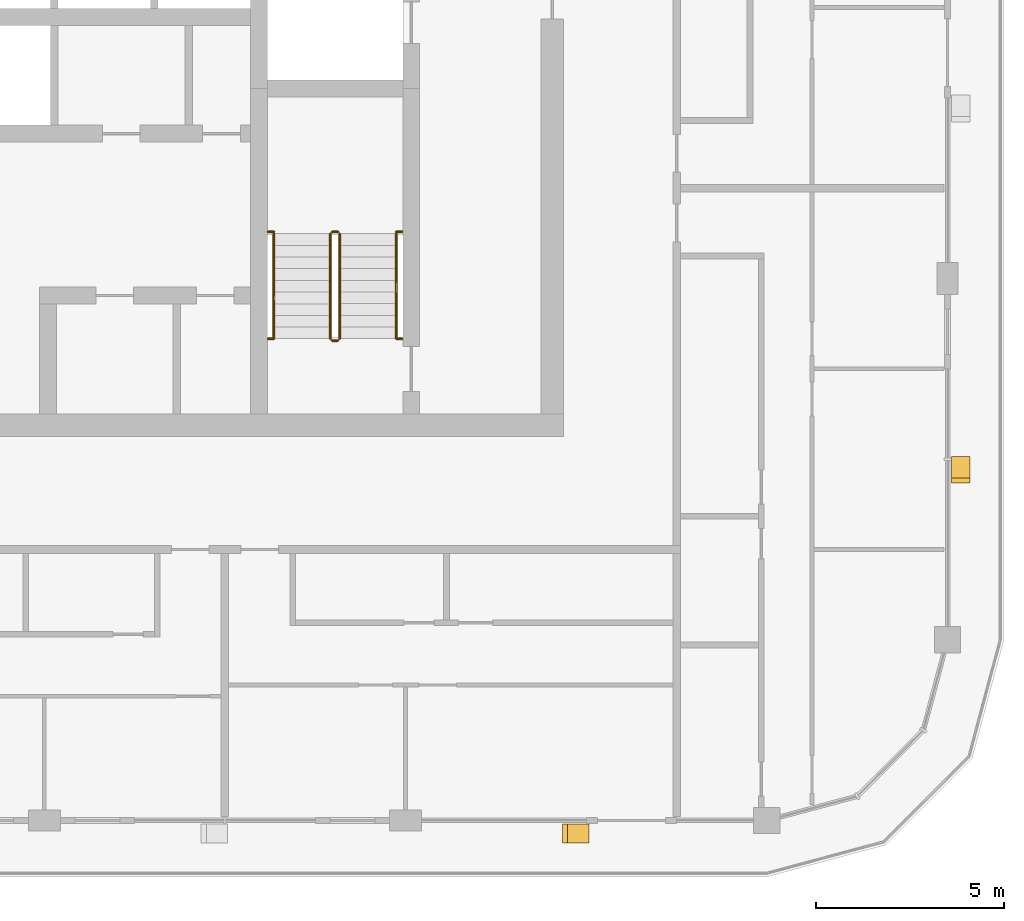
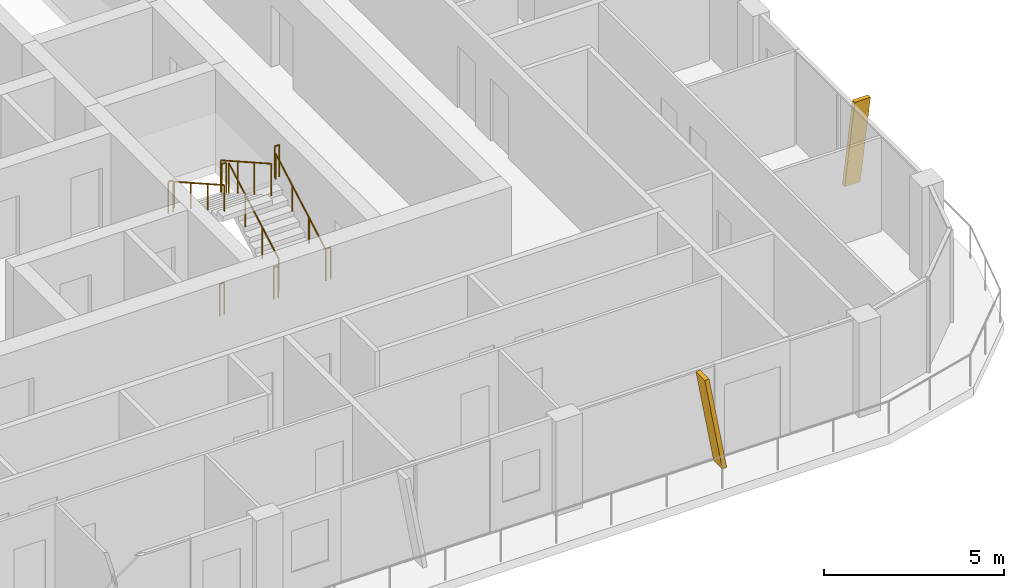
# One storey, part 19 of 22: 10 railings, 2 shading devices.
"""IFC4 building model written with IfcOpenShell, lengths in metres."""

from ifc_helpers import new_model, si_unit, direction, frame, origin, origin_2d, place, context, subcontext, project, spatial, polyline, circle, outline, extrude, material, type_object, element, save


model = new_model("IFC4")

# Units and contexts
model_context = context("Model", 3, precision=1e-05, world=origin(), true_north=direction((0.0, 1.0)))
body_context = subcontext(model_context, "Body", "Model", "MODEL_VIEW")
ifc_project = project(units=[si_unit("LENGTHUNIT", "METRE"), si_unit("AREAUNIT", "SQUARE_METRE"), si_unit("VOLUMEUNIT", "CUBIC_METRE"), si_unit("PLANEANGLEUNIT", "RADIAN"), si_unit("MASSUNIT", "GRAM", prefix="KILO")], contexts=[model_context])

# Site, building, storey
site_placement = place(None, origin())
site = spatial("IfcSite", under=ifc_project, at=site_placement, CompositionType="ELEMENT")
building_placement = place(site_placement, origin())
building = spatial("IfcBuilding", under=site, at=building_placement, Name="Madar Terraces", CompositionType="ELEMENT")
storey_placement = place(building_placement, frame((0.0, 0.0, 249.199951171875)))
storey = spatial("IfcBuildingStorey", under=building, at=storey_placement, Name="L65", CompositionType="ELEMENT", Elevation=249.199951171875)

# Shading devices
ifc_material_1 = material(Name="Aluminium, black anodised", Category="aluminium")
shading_device_type = type_object("IfcShadingDeviceType", Name="Facade fin blade 140 x 500", PredefinedType="USERDEFINED", material=ifc_material_1)
shading_device_1_placement = place(storey_placement, frame((47.929931640625, 4.449951171875, 0.0), z_axis=(0.0, 0.0, 1.0), x_axis=(1.0, 0.0, 0.0)))
element("IfcShadingDevice", 1, at=shading_device_1_placement, inside=storey, type_object=shading_device_type, Name="FIN L65 S5", ObjectType="FIN", PredefinedType="USERDEFINED", context=body_context, shape_type="SweptSolid", body=[
    extrude(outline(polyline([(0.0, 0.0), (0.14013671875, 0.0), (-0.42431640625, 3.199951171875), (-0.564208984375, 3.199951171875), (0.0, 0.0)])), frame((0.0, 0.25, 0.0), z_axis=(0.0, -1.0, 0.0), x_axis=(1.0, 0.0, 0.0)), (0.0, 0.0, 1.0), 0.5),
])
shading_device_2_placement = place(storey_placement, frame((57.949951171875, 14.330078125, 0.0), z_axis=(0.0, 0.0, 1.0), x_axis=(0.0, 1.0, 0.0)))
element("IfcShadingDevice", 2, at=shading_device_2_placement, inside=storey, type_object=shading_device_type, Name="FIN L65 E1", ObjectType="FIN", PredefinedType="USERDEFINED", context=body_context, shape_type="SweptSolid", body=[
    extrude(outline(polyline([(0.0, 0.0), (0.139892578125, 0.0), (-0.42431640625, 3.199951171875), (-0.564208984375, 3.199951171875), (0.0, 0.0)])), frame((0.0, 0.25, 0.0), z_axis=(0.0, -1.0, 0.0), x_axis=(1.0, 0.0, 0.0)), (0.0, 0.0, 1.0), 0.5),
])

# Railings
ifc_material_2 = material(Name="Stainless steel railing", Category="steel")
railing_type_1 = type_object("IfcRailingType", Name="Stair guard 1100", PredefinedType="GUARDRAIL", material=ifc_material_2)
railing_1_placement = place(storey_placement, frame((41.449951171875, 17.60009765625, 0.175048828125)))
element("IfcRailing", 3, at=railing_1_placement, inside=storey, type_object=railing_type_1, Name="L65 ST3 stair guard 1", PredefinedType="GUARDRAIL", context=body_context, shape_type="SweptSolid", body=[
    extrude(circle(Radius=0.02392578125, at=origin_2d()), frame((0.0, 0.0, 1.076171875), z_axis=(0.0, 0.870815363784, 0.491610213684), x_axis=(-1.0, 0.0, 0.0)), (0.0, 0.0, 1.0), 3.20361328125),
    extrude(circle(Radius=0.02099609375, at=origin_2d()), origin(), (0.0, 0.0, 1.0), 1.052001953125),
    extrude(circle(Radius=0.02099609375, at=origin_2d()), frame((0.0, 0.929931640625, 0.52490234375)), (0.0, 0.0, 1.0), 1.052001953125),
    extrude(circle(Radius=0.02099609375, at=origin_2d()), frame((0.0, 1.85986328125, 1.050048828125)), (0.0, 0.0, 1.0), 1.052001953125),
    extrude(circle(Radius=0.02099609375, at=origin_2d()), frame((0.0, 2.789794921875, 1.574951171875)), (0.0, 0.0, 1.0), 1.052001953125),
])
railing_2_placement = place(storey_placement, frame((41.39990234375, 20.43994140625, 1.75)))
element("IfcRailing", 4, at=railing_2_placement, inside=storey, type_object=railing_type_1, Name="L65 ST3 stair guard 2", PredefinedType="GUARDRAIL", context=body_context, shape_type="SweptSolid", body=[
    extrude(circle(Radius=0.02392578125, at=origin_2d()), frame((0.0, 0.0, 1.076171875), z_axis=(-1.0, 0.0, 0.0), x_axis=(0.0, -1.0, 0.0)), (0.0, 0.0, 1.0), 0.14990234375),
    extrude(circle(Radius=0.02099609375, at=origin_2d()), origin(), (0.0, 0.0, 1.0), 1.052001953125),
    extrude(circle(Radius=0.02099609375, at=origin_2d()), frame((-0.14990234375, 0.0, 0.0)), (0.0, 0.0, 1.0), 1.052001953125),
])
railing_3_placement = place(storey_placement, frame((41.199951171875, 20.389892578125, 1.925048828125)))
element("IfcRailing", 5, at=railing_3_placement, inside=storey, type_object=railing_type_1, Name="L65 ST3 stair guard 3", PredefinedType="GUARDRAIL", context=body_context, shape_type="SweptSolid", body=[
    extrude(circle(Radius=0.02392578125, at=origin_2d()), frame((0.0, 0.0, 1.076171875), z_axis=(0.0, -0.870815363784, 0.491610213684), x_axis=(1.0, 0.0, 0.0)), (0.0, 0.0, 1.0), 3.20361328125),
    extrude(circle(Radius=0.02099609375, at=origin_2d()), origin(), (0.0, 0.0, 1.0), 1.052001953125),
    extrude(circle(Radius=0.02099609375, at=origin_2d()), frame((0.0, -0.929931640625, 0.52490234375)), (0.0, 0.0, 1.0), 1.052001953125),
    extrude(circle(Radius=0.02099609375, at=origin_2d()), frame((0.0, -1.85986328125, 1.050048828125)), (0.0, 0.0, 1.0), 1.052001953125),
    extrude(circle(Radius=0.02099609375, at=origin_2d()), frame((0.0, -2.789794921875, 1.574951171875)), (0.0, 0.0, 1.0), 1.052001953125),
])
railing_4_placement = place(storey_placement, frame((41.39990234375, 17.550048828125, 0.0)))
element("IfcRailing", 6, at=railing_4_placement, inside=storey, type_object=railing_type_1, Name="L65 ST3 stair guard 4", PredefinedType="GUARDRAIL", context=body_context, shape_type="SweptSolid", body=[
    extrude(circle(Radius=0.02392578125, at=origin_2d()), frame((0.0, 0.0, 1.076171875), z_axis=(-1.0, 0.0, 0.0), x_axis=(0.0, -1.0, 0.0)), (0.0, 0.0, 1.0), 0.14990234375),
    extrude(circle(Radius=0.02099609375, at=origin_2d()), origin(), (0.0, 0.0, 1.0), 1.052001953125),
    extrude(circle(Radius=0.02099609375, at=origin_2d()), frame((-0.14990234375, 0.0, 0.0)), (0.0, 0.0, 1.0), 1.052001953125),
])
for number, where, name in (
    (7, (39.544921875, 20.43994140625, 1.75), "L65 stair guard seat 1"),
    (8, (42.949951171875, 20.43994140625, 1.75), "L65 stair guard seat 2"),
    (9, (39.544921875, 17.60009765625, 0.0), "L65 stair guard floor 1"),
    (10, (42.949951171875, 17.60009765625, 0.0), "L65 stair guard floor 2"),
):
    element("IfcRailing", number, at=place(storey_placement, frame(where)), inside=storey, type_object=railing_type_1, Name=name, PredefinedType="GUARDRAIL", context=body_context, shape_type="SweptSolid", body=[
        extrude(circle(Radius=0.02392578125, at=origin_2d()), frame((0.0, 0.0, 1.076171875), z_axis=(1.0, 0.0, 0.0), x_axis=(0.0, 1.0, 0.0)), (0.0, 0.0, 1.0), 0.155029296875),
        extrude(circle(Radius=0.02099609375, at=origin_2d()), origin(), (0.0, 0.0, 1.0), 1.052001953125),
        extrude(circle(Radius=0.02099609375, at=origin_2d()), frame((0.155029296875, 0.0, 0.0)), (0.0, 0.0, 1.0), 1.052001953125),
    ])
ifc_material_3 = material(Name="Stainless steel railing", Category="steel")
railing_type_2 = type_object("IfcRailingType", Name="Stair handrail 900", PredefinedType="HANDRAIL", material=ifc_material_3)
railing_5_placement = place(storey_placement, frame((42.949951171875, 17.60009765625, 0.175048828125)))
element("IfcRailing", 11, at=railing_5_placement, inside=storey, type_object=railing_type_2, Name="L65 ST3 stair handrail 1", PredefinedType="HANDRAIL", context=body_context, shape_type="SweptSolid", body=[
    extrude(circle(Radius=0.02392578125, at=origin_2d()), frame((0.0, 0.0, 0.8759765625), z_axis=(0.0, 0.870815363784, 0.491610213684), x_axis=(-1.0, 0.0, 0.0)), (0.0, 0.0, 1.0), 3.20361328125),
    extrude(circle(Radius=0.02099609375, at=origin_2d()), origin(), (0.0, 0.0, 1.0), 0.851806640625),
    extrude(circle(Radius=0.02099609375, at=origin_2d()), frame((0.0, 0.929931640625, 0.52490234375)), (0.0, 0.0, 1.0), 0.851806640625),
    extrude(circle(Radius=0.02099609375, at=origin_2d()), frame((0.0, 1.85986328125, 1.050048828125)), (0.0, 0.0, 1.0), 0.851806640625),
    extrude(circle(Radius=0.02099609375, at=origin_2d()), frame((0.0, 2.789794921875, 1.574951171875)), (0.0, 0.0, 1.0), 0.851806640625),
])
railing_6_placement = place(storey_placement, frame((39.699951171875, 20.389892578125, 1.925048828125)))
element("IfcRailing", 12, at=railing_6_placement, inside=storey, type_object=railing_type_2, Name="L65 ST3 stair handrail 2", PredefinedType="HANDRAIL", context=body_context, shape_type="SweptSolid", body=[
    extrude(circle(Radius=0.02392578125, at=origin_2d()), frame((0.0, 0.0, 0.8759765625), z_axis=(0.0, -0.870815363784, 0.491610213684), x_axis=(1.0, 0.0, 0.0)), (0.0, 0.0, 1.0), 3.20361328125),
    extrude(circle(Radius=0.02099609375, at=origin_2d()), origin(), (0.0, 0.0, 1.0), 0.851806640625),
    extrude(circle(Radius=0.02099609375, at=origin_2d()), frame((0.0, -0.929931640625, 0.52490234375)), (0.0, 0.0, 1.0), 0.851806640625),
    extrude(circle(Radius=0.02099609375, at=origin_2d()), frame((0.0, -1.85986328125, 1.050048828125)), (0.0, 0.0, 1.0), 0.851806640625),
    extrude(circle(Radius=0.02099609375, at=origin_2d()), frame((0.0, -2.789794921875, 1.574951171875)), (0.0, 0.0, 1.0), 0.851806640625),
])

save(model, "model.ifc")
